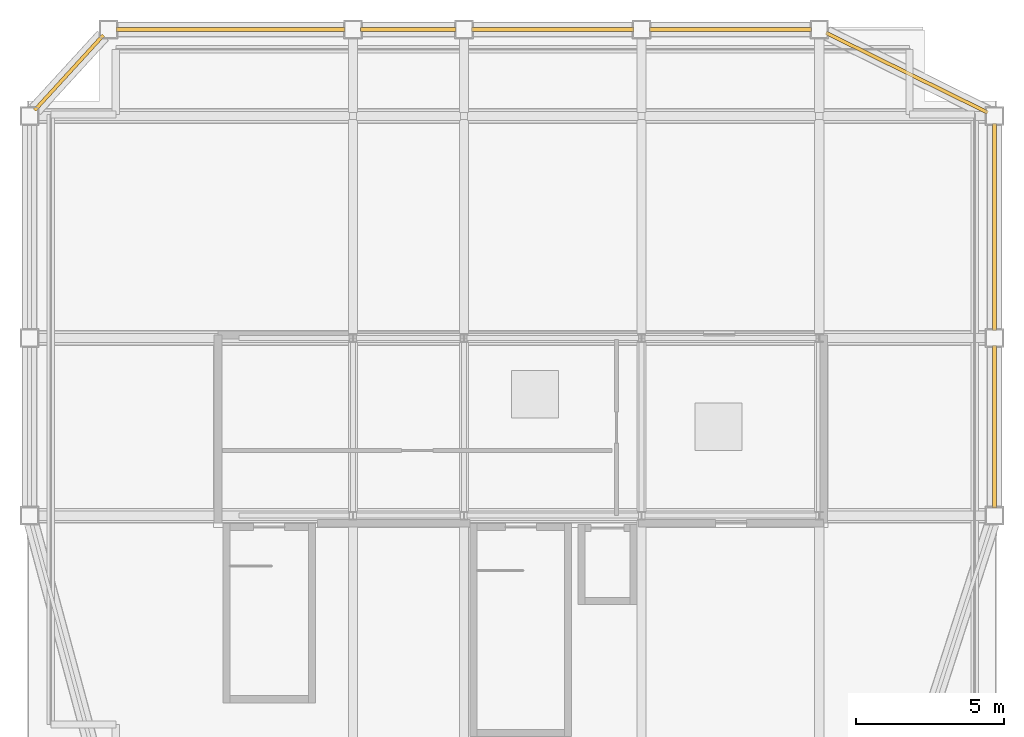
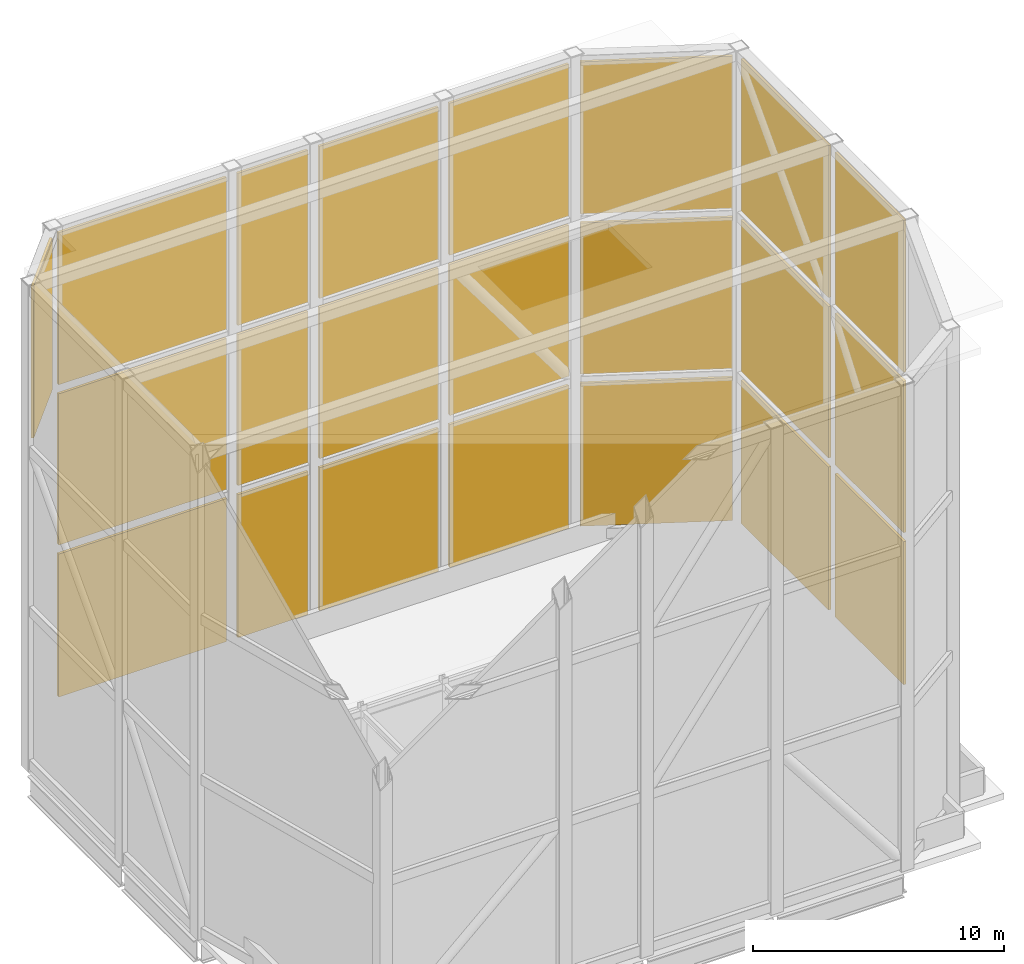
# One storey, part 6 of 6: 22 shading devices.
"""IFC4 building model written with IfcOpenShell, lengths in metres."""

import ifcopenshell
import ifcopenshell.guid

model = None  # the IFC model being written
_history = None  # IfcOwnerHistory: only IFC2X3 demands one
_inside = {}  # id of a spatial element -> (the spatial element, [elements in it])
_under = {}  # id of a project, library or spatial element -> (it, [spatial elements below it])
_declared = {}  # id of a project -> (the project, [libraries it declares])
_typed = {}  # id of a type object -> (the type object, [elements of that type])
_made_of = {}  # id of a material, layer set ... -> (it, [elements and type objects made of it])


def new_model(schema):
    """Start an empty IFC model of exactly this schema.

    Asked for "IFC4X3", IfcOpenShell would pick the latest addendum, in which some entities
    have other attributes; the version numbers below select the first issue.
    IFC2X3 requires an IfcOwnerHistory on every rooted entity: one is made here for all.
    """
    global model, _history
    if schema == "IFC4X3":
        model = ifcopenshell.file(schema_version=(4, 3, 0, 0))
    else:
        model = ifcopenshell.file(schema=schema)
    _inside.clear()
    _under.clear()
    _declared.clear()
    _typed.clear()
    _made_of.clear()
    _history = None
    if model.schema == "IFC2X3":
        org = make("IfcOrganization", Name="unknown")
        user = make(
            "IfcPersonAndOrganization",
            ThePerson=make("IfcPerson", FamilyName="unknown"),
            TheOrganization=org,
        )
        app = make(
            "IfcApplication",
            ApplicationDeveloper=org,
            Version="unknown",
            ApplicationFullName="unknown",
            ApplicationIdentifier="unknown",
        )
        _history = make(
            "IfcOwnerHistory",
            OwningUser=user,
            OwningApplication=app,
            ChangeAction="ADDED",
            CreationDate=0,
        )
    return model


def make(cls, **values):
    """One entity of the class cls with the attributes given. An attribute that is None is left unset."""
    return model.create_entity(
        cls, **{name: value for name, value in values.items() if value is not None}
    )


def rooted(cls, **values):
    """An entity with a GlobalId (a new one), such as an element, a storey or a relation."""
    return make(cls, GlobalId=ifcopenshell.guid.new(), OwnerHistory=_history, **values)


def si_unit(unit_type, name, prefix=None):
    """IfcSIUnit, for example si_unit("LENGTHUNIT", "METRE", prefix="MILLI")."""
    return make("IfcSIUnit", UnitType=unit_type, Prefix=prefix, Name=name)


def assignment(units):
    """IfcUnitAssignment: the units of a project."""
    return None if units is None else make("IfcUnitAssignment", Units=units)


def point(xyz):
    """IfcCartesianPoint."""
    return None if xyz is None else make("IfcCartesianPoint", Coordinates=xyz)


def direction(xyz):
    """IfcDirection."""
    return None if xyz is None else make("IfcDirection", DirectionRatios=xyz)


def frame(location, z_axis=None, x_axis=None):
    """IfcAxis2Placement3D, a coordinate frame: its origin and axes. An axis left out is left unset."""
    return make(
        "IfcAxis2Placement3D",
        Location=point(location),
        Axis=direction(z_axis),
        RefDirection=direction(x_axis),
    )


def frame_2d(location, x_axis=None):
    """IfcAxis2Placement2D, a coordinate frame in the plane: its origin and x axis."""
    return make(
        "IfcAxis2Placement2D", Location=point(location), RefDirection=direction(x_axis)
    )


def origin():
    """The frame at (0, 0, 0) with its axes left unset."""
    return frame((0.0, 0.0, 0.0))


def origin_2d():
    """The frame at (0, 0) in the plane with its x axis left unset."""
    return frame_2d((0.0, 0.0))


def place(relative_to, where):
    """IfcLocalPlacement: puts the frame where relative to a parent placement (None: the world)."""
    return make(
        "IfcLocalPlacement", PlacementRelTo=relative_to, RelativePlacement=where
    )


def context(
    kind, dimensions, precision=None, world=None, true_north=None, identifier=None
):
    """IfcGeometricRepresentationContext, for example the 3D "Model" context."""
    return make(
        "IfcGeometricRepresentationContext",
        ContextIdentifier=identifier,
        ContextType=kind,
        CoordinateSpaceDimension=dimensions,
        Precision=precision,
        WorldCoordinateSystem=world,
        TrueNorth=true_north,
    )


def subcontext(parent, identifier, kind, view, scale=None):
    """IfcGeometricRepresentationSubContext, for example "Body" below "Model"."""
    return make(
        "IfcGeometricRepresentationSubContext",
        ContextIdentifier=identifier,
        ContextType=kind,
        ParentContext=parent,
        TargetScale=scale,
        TargetView=view,
    )


def project(units=None, contexts=None):
    """IfcProject with its units and contexts."""
    return rooted(
        "IfcProject",
        Name="project",
        RepresentationContexts=contexts,
        UnitsInContext=assignment(units),
    )


def spatial(cls, under=None, at=None, **own):
    """A site, building, storey or space (cls), placed at a placement, below another one or the project."""
    s = rooted(cls, ObjectPlacement=at, **own)
    if under is not None:
        _under.setdefault(under.id(), (under, []))[1].append(s)
    return s


def profile(cls, at=None, kind="AREA", **sizes):
    """A parametric profile (cls). Its sizes go by their IFC names, for example OverallWidth=200.0."""
    return make(cls, ProfileType=kind, Position=at, **sizes)


def rectangle(**sizes):
    """IfcRectangleProfileDef."""
    return profile("IfcRectangleProfileDef", **sizes)


def extrude(swept, where, along, depth):
    """IfcExtrudedAreaSolid: the profile swept, set in the frame where, extruded along a direction by depth."""
    return make(
        "IfcExtrudedAreaSolid",
        SweptArea=swept,
        Position=where,
        ExtrudedDirection=direction(along),
        Depth=depth,
    )


def shape(context_of_items, identifier, shape_type, items):
    """IfcShapeRepresentation: the items that make up one representation, for example the "Body"."""
    return make(
        "IfcShapeRepresentation",
        ContextOfItems=context_of_items,
        RepresentationIdentifier=identifier,
        RepresentationType=shape_type,
        Items=items,
    )


def material(Name=None, Category=None):
    """IfcMaterial."""
    return make("IfcMaterial", Name=Name, Category=Category)


def layer(
    of_material, thickness, ventilated=None, Name=None, Category=None, Priority=None
):
    """IfcMaterialLayer: one layer of a wall or slab, of a material (None: an air gap)."""
    return make(
        "IfcMaterialLayer",
        Material=of_material,
        LayerThickness=thickness,
        IsVentilated=ventilated,
        Name=Name,
        Category=Category,
        Priority=Priority,
    )


def layer_set(layers, Name=None):
    """IfcMaterialLayerSet."""
    return make("IfcMaterialLayerSet", MaterialLayers=layers, LayerSetName=Name)


def made_of(thing, what):
    """Note that an element or type object is made of a material, layer set ...; save() writes the relation."""
    if what is not None:
        _made_of.setdefault(what.id(), (what, []))[1].append(thing)
    return thing


def type_object(cls, material=None, **own):
    """A type object (cls), such as IfcWallType, which elements share."""
    return made_of(rooted(cls, **own), material)


def element(
    cls,
    number,
    at=None,
    inside=None,
    cuts=None,
    type_object=None,
    material=None,
    context=None,
    identifier="Body",
    shape_type=None,
    held_by="IfcProductDefinitionShape",
    body=None,
    shapes=None,
    **own,
):
    """One element of the class cls, such as IfcWall. Its Tag is "e" and its number.

    at: its placement. inside: the storey or other place that contains it. cuts: it is an
    opening in that element (IfcRelVoidsElement). A single representation is given by context,
    identifier, shape_type and body (its items); several are given by shapes. held_by: the class
    of the entity that holds the representations. save() writes the other relations.
    """
    e = rooted(cls, Tag="e%d" % number, ObjectPlacement=at, **own)
    if body is not None:
        shapes = [shape(context, identifier, shape_type, body)]
    if shapes is not None:
        e.Representation = make(held_by, Representations=shapes)
    if inside is not None:
        _inside.setdefault(inside.id(), (inside, []))[1].append(e)
    if cuts is not None:
        rooted(
            "IfcRelVoidsElement", RelatingBuildingElement=cuts, RelatedOpeningElement=e
        )
    if type_object is not None:
        _typed.setdefault(type_object.id(), (type_object, []))[1].append(e)
    return made_of(e, material)


def aggregate(whole, parts):
    """IfcRelAggregates: a whole, such as a stair, and the parts it consists of."""
    return rooted("IfcRelAggregates", RelatingObject=whole, RelatedObjects=parts)


def save(model, path):
    """Write the relations noted so far, then the file.

    IfcRelAggregates (storeys below a building ...), IfcRelContainedInSpatialStructure (elements
    in a storey), IfcRelDefinesByType, IfcRelAssociatesMaterial and IfcRelDeclares: one each for
    every whole, place, type object, material and project.
    """
    for whole, parts in _under.values():
        aggregate(whole, parts)
    for where, things in _inside.values():
        rooted(
            "IfcRelContainedInSpatialStructure",
            RelatedElements=things,
            RelatingStructure=where,
        )
    for kind, things in _typed.values():
        rooted("IfcRelDefinesByType", RelatedObjects=things, RelatingType=kind)
    for what, things in _made_of.values():
        rooted("IfcRelAssociatesMaterial", RelatedObjects=things, RelatingMaterial=what)
    for by, libraries in _declared.values():
        rooted("IfcRelDeclares", RelatingContext=by, RelatedDefinitions=libraries)
    model.write(path)


model = new_model("IFC4")

# Units and contexts
model_context = context("Model", 3, precision=1e-05, world=origin(), true_north=direction((0.0, 1.0)))
body_context = subcontext(model_context, "Body", "Model", "MODEL_VIEW")
ifc_project = project(units=[si_unit("LENGTHUNIT", "METRE"), si_unit("AREAUNIT", "SQUARE_METRE"), si_unit("VOLUMEUNIT", "CUBIC_METRE"), si_unit("PLANEANGLEUNIT", "RADIAN"), si_unit("MASSUNIT", "GRAM", prefix="KILO")], contexts=[model_context])

# Site, building, storey
site_placement = place(None, origin())
site = spatial("IfcSite", under=ifc_project, at=site_placement, CompositionType="ELEMENT")
building_placement = place(site_placement, origin())
building = spatial("IfcBuilding", under=site, at=building_placement, Name="Brevholm Reach", CompositionType="ELEMENT")
storey_placement = place(building_placement, frame((0.0, 0.0, 251.449951171875)))
storey = spatial("IfcBuildingStorey", under=building, at=storey_placement, Name="RF", CompositionType="ELEMENT", Elevation=251.449951171875)

# Shading devices
ifc_material = material(Name="Perforated Champagne-Bronze Anodised Aluminium", Category="aluminium")
ifc_layer = layer(ifc_material, 0.1201171875)
ifc_layer_set = layer_set([ifc_layer], Name="Perforated Champagne-Bronze Anodised Aluminium")
shading_device_type = type_object("IfcShadingDeviceType", Name="SHD-CRN-120", PredefinedType="USERDEFINED", material=ifc_layer_set)
shading_device_1_placement = place(storey_placement, frame((59.919921875, 13.0, 0.6201171875), z_axis=(0.0, 0.0, 1.0), x_axis=(0.0, 1.0, 0.0)))
element("IfcShadingDevice", 1, at=shading_device_1_placement, inside=storey, type_object=shading_device_type, Name="Crown Perforated Solar Screen Panel 7.1", ObjectType="SCREEN", PredefinedType="USERDEFINED", context=body_context, shape_type="SweptSolid", body=[
    extrude(rectangle(XDim=5.47998046875, YDim=0.1201171875, at=origin_2d()), origin(), (0.0, 0.0, 1.0), 6.9599609375),
])
shading_device_2_placement = place(storey_placement, frame((59.919921875, 13.0, 8.02001953125), z_axis=(0.0, 0.0, 1.0), x_axis=(0.0, 1.0, 0.0)))
element("IfcShadingDevice", 2, at=shading_device_2_placement, inside=storey, type_object=shading_device_type, Name="Crown Perforated Solar Screen Panel 7.2", ObjectType="SCREEN", PredefinedType="USERDEFINED", context=body_context, shape_type="SweptSolid", body=[
    extrude(rectangle(XDim=5.47998046875, YDim=0.1201171875, at=origin_2d()), origin(), (0.0, 0.0, 1.0), 7.360107421875),
])
shading_device_3_placement = place(storey_placement, frame((59.919921875, 13.0, 15.820068359375), z_axis=(0.0, 0.0, 1.0), x_axis=(0.0, 1.0, 0.0)))
element("IfcShadingDevice", 3, at=shading_device_3_placement, inside=storey, type_object=shading_device_type, Name="Crown Perforated Solar Screen Panel 7.3", ObjectType="SCREEN", PredefinedType="USERDEFINED", context=body_context, shape_type="SweptSolid", body=[
    extrude(rectangle(XDim=5.47998046875, YDim=0.1201171875, at=origin_2d()), origin(), (0.0, 0.0, 1.0), 7.39990234375),
])
shading_device_4_placement = place(storey_placement, frame((59.919921875, 19.75, 0.6201171875), z_axis=(0.0, 0.0, 1.0), x_axis=(0.0, 1.0, 0.0)))
element("IfcShadingDevice", 4, at=shading_device_4_placement, inside=storey, type_object=shading_device_type, Name="Crown Perforated Solar Screen Panel 8.1", ObjectType="SCREEN", PredefinedType="USERDEFINED", context=body_context, shape_type="SweptSolid", body=[
    extrude(rectangle(XDim=6.97998046875, YDim=0.1201171875, at=origin_2d()), origin(), (0.0, 0.0, 1.0), 6.9599609375),
])
shading_device_5_placement = place(storey_placement, frame((59.919921875, 19.75, 8.02001953125), z_axis=(0.0, 0.0, 1.0), x_axis=(0.0, 1.0, 0.0)))
element("IfcShadingDevice", 5, at=shading_device_5_placement, inside=storey, type_object=shading_device_type, Name="Crown Perforated Solar Screen Panel 8.2", ObjectType="SCREEN", PredefinedType="USERDEFINED", context=body_context, shape_type="SweptSolid", body=[
    extrude(rectangle(XDim=6.97998046875, YDim=0.1201171875, at=origin_2d()), origin(), (0.0, 0.0, 1.0), 7.360107421875),
])
shading_device_6_placement = place(storey_placement, frame((59.919921875, 19.75, 15.820068359375), z_axis=(0.0, 0.0, 1.0), x_axis=(0.0, 1.0, 0.0)))
element("IfcShadingDevice", 6, at=shading_device_6_placement, inside=storey, type_object=shading_device_type, Name="Crown Perforated Solar Screen Panel 8.3", ObjectType="SCREEN", PredefinedType="USERDEFINED", context=body_context, shape_type="SweptSolid", body=[
    extrude(rectangle(XDim=6.97998046875, YDim=0.1201171875, at=origin_2d()), origin(), (0.0, 0.0, 1.0), 7.39990234375),
])
shading_device_7_placement = place(storey_placement, frame((56.9599609375, 24.9599609375, 0.6201171875), z_axis=(0.0, 0.0, 1.0), x_axis=(-0.896838001494, 0.442359129075, 0.0)))
element("IfcShadingDevice", 7, at=shading_device_7_placement, inside=storey, type_object=shading_device_type, Name="Crown Perforated Solar Screen Panel 9.1", ObjectType="SCREEN", PredefinedType="USERDEFINED", context=body_context, shape_type="SweptSolid", body=[
    extrude(rectangle(XDim=6.0810546875, YDim=0.1201171875, at=origin_2d()), origin(), (0.0, 0.0, 1.0), 6.9599609375),
])
shading_device_8_placement = place(storey_placement, frame((56.9599609375, 24.9599609375, 8.02001953125), z_axis=(0.0, 0.0, 1.0), x_axis=(-0.896838001494, 0.442359129075, 0.0)))
element("IfcShadingDevice", 8, at=shading_device_8_placement, inside=storey, type_object=shading_device_type, Name="Crown Perforated Solar Screen Panel 9.2", ObjectType="SCREEN", PredefinedType="USERDEFINED", context=body_context, shape_type="SweptSolid", body=[
    extrude(rectangle(XDim=6.0810546875, YDim=0.1201171875, at=origin_2d()), origin(), (0.0, 0.0, 1.0), 7.360107421875),
])
shading_device_9_placement = place(storey_placement, frame((56.9599609375, 24.9599609375, 15.820068359375), z_axis=(0.0, 0.0, 1.0), x_axis=(-0.896838001494, 0.442359129075, 0.0)))
element("IfcShadingDevice", 9, at=shading_device_9_placement, inside=storey, type_object=shading_device_type, Name="Crown Perforated Solar Screen Panel 9.3", ObjectType="SCREEN", PredefinedType="USERDEFINED", context=body_context, shape_type="SweptSolid", body=[
    extrude(rectangle(XDim=6.0810546875, YDim=0.1201171875, at=origin_2d()), origin(), (0.0, 0.0, 1.0), 7.39990234375),
])
shading_device_10_placement = place(storey_placement, frame((51.0, 26.419921875, 0.6201171875), z_axis=(0.0, 0.0, 1.0), x_axis=(-1.0, 0.0, 0.0)))
element("IfcShadingDevice", 10, at=shading_device_10_placement, inside=storey, type_object=shading_device_type, Name="Crown Perforated Solar Screen Panel 10.1", ObjectType="SCREEN", PredefinedType="USERDEFINED", context=body_context, shape_type="SweptSolid", body=[
    extrude(rectangle(XDim=5.47998046875, YDim=0.1201171875, at=origin_2d()), origin(), (0.0, 0.0, 1.0), 6.9599609375),
])
shading_device_11_placement = place(storey_placement, frame((51.0, 26.419921875, 8.02001953125), z_axis=(0.0, 0.0, 1.0), x_axis=(-1.0, 0.0, 0.0)))
element("IfcShadingDevice", 11, at=shading_device_11_placement, inside=storey, type_object=shading_device_type, Name="Crown Perforated Solar Screen Panel 10.2", ObjectType="SCREEN", PredefinedType="USERDEFINED", context=body_context, shape_type="SweptSolid", body=[
    extrude(rectangle(XDim=5.47998046875, YDim=0.1201171875, at=origin_2d()), origin(), (0.0, 0.0, 1.0), 7.360107421875),
])
shading_device_12_placement = place(storey_placement, frame((51.0, 26.419921875, 15.820068359375), z_axis=(0.0, 0.0, 1.0), x_axis=(-1.0, 0.0, 0.0)))
element("IfcShadingDevice", 12, at=shading_device_12_placement, inside=storey, type_object=shading_device_type, Name="Crown Perforated Solar Screen Panel 10.3", ObjectType="SCREEN", PredefinedType="USERDEFINED", context=body_context, shape_type="SweptSolid", body=[
    extrude(rectangle(XDim=5.47998046875, YDim=0.1201171875, at=origin_2d()), origin(), (0.0, 0.0, 1.0), 7.39990234375),
])
shading_device_13_placement = place(storey_placement, frame((45.0, 26.419921875, 0.6201171875), z_axis=(0.0, 0.0, 1.0), x_axis=(-1.0, 0.0, 0.0)))
element("IfcShadingDevice", 13, at=shading_device_13_placement, inside=storey, type_object=shading_device_type, Name="Crown Perforated Solar Screen Panel 11.1", ObjectType="SCREEN", PredefinedType="USERDEFINED", context=body_context, shape_type="SweptSolid", body=[
    extrude(rectangle(XDim=5.47998046875, YDim=0.1201171875, at=origin_2d()), origin(), (0.0, 0.0, 1.0), 6.9599609375),
])
shading_device_14_placement = place(storey_placement, frame((45.0, 26.419921875, 8.02001953125), z_axis=(0.0, 0.0, 1.0), x_axis=(-1.0, 0.0, 0.0)))
element("IfcShadingDevice", 14, at=shading_device_14_placement, inside=storey, type_object=shading_device_type, Name="Crown Perforated Solar Screen Panel 11.2", ObjectType="SCREEN", PredefinedType="USERDEFINED", context=body_context, shape_type="SweptSolid", body=[
    extrude(rectangle(XDim=5.47998046875, YDim=0.1201171875, at=origin_2d()), origin(), (0.0, 0.0, 1.0), 7.360107421875),
])
shading_device_15_placement = place(storey_placement, frame((45.0, 26.419921875, 15.820068359375), z_axis=(0.0, 0.0, 1.0), x_axis=(-1.0, 0.0, 0.0)))
element("IfcShadingDevice", 15, at=shading_device_15_placement, inside=storey, type_object=shading_device_type, Name="Crown Perforated Solar Screen Panel 11.3", ObjectType="SCREEN", PredefinedType="USERDEFINED", context=body_context, shape_type="SweptSolid", body=[
    extrude(rectangle(XDim=5.47998046875, YDim=0.1201171875, at=origin_2d()), origin(), (0.0, 0.0, 1.0), 7.39990234375),
])
shading_device_16_placement = place(storey_placement, frame((40.125, 26.419921875, 0.6201171875), z_axis=(0.0, 0.0, 1.0), x_axis=(-1.0, 0.0, 0.0)))
element("IfcShadingDevice", 16, at=shading_device_16_placement, inside=storey, type_object=shading_device_type, Name="Crown Perforated Solar Screen Panel 12.1", ObjectType="SCREEN", PredefinedType="USERDEFINED", context=body_context, shape_type="SweptSolid", body=[
    extrude(rectangle(XDim=3.22998046875, YDim=0.1201171875, at=origin_2d()), origin(), (0.0, 0.0, 1.0), 6.9599609375),
])
shading_device_17_placement = place(storey_placement, frame((40.125, 26.419921875, 8.02001953125), z_axis=(0.0, 0.0, 1.0), x_axis=(-1.0, 0.0, 0.0)))
element("IfcShadingDevice", 17, at=shading_device_17_placement, inside=storey, type_object=shading_device_type, Name="Crown Perforated Solar Screen Panel 12.2", ObjectType="SCREEN", PredefinedType="USERDEFINED", context=body_context, shape_type="SweptSolid", body=[
    extrude(rectangle(XDim=3.22998046875, YDim=0.1201171875, at=origin_2d()), origin(), (0.0, 0.0, 1.0), 7.360107421875),
])
shading_device_18_placement = place(storey_placement, frame((40.125, 26.419921875, 15.820068359375), z_axis=(0.0, 0.0, 1.0), x_axis=(-1.0, 0.0, 0.0)))
element("IfcShadingDevice", 18, at=shading_device_18_placement, inside=storey, type_object=shading_device_type, Name="Crown Perforated Solar Screen Panel 12.3", ObjectType="SCREEN", PredefinedType="USERDEFINED", context=body_context, shape_type="SweptSolid", body=[
    extrude(rectangle(XDim=3.22998046875, YDim=0.1201171875, at=origin_2d()), origin(), (0.0, 0.0, 1.0), 7.39990234375),
])
shading_device_19_placement = place(storey_placement, frame((34.125, 26.419921875, 0.6201171875), z_axis=(0.0, 0.0, 1.0), x_axis=(-1.0, 0.0, 0.0)))
element("IfcShadingDevice", 19, at=shading_device_19_placement, inside=storey, type_object=shading_device_type, Name="Crown Perforated Solar Screen Panel 13.1", ObjectType="SCREEN", PredefinedType="USERDEFINED", context=body_context, shape_type="SweptSolid", body=[
    extrude(rectangle(XDim=7.72998046875, YDim=0.1201171875, at=origin_2d()), origin(), (0.0, 0.0, 1.0), 6.9599609375),
])
shading_device_20_placement = place(storey_placement, frame((34.125, 26.419921875, 8.02001953125), z_axis=(0.0, 0.0, 1.0), x_axis=(-1.0, 0.0, 0.0)))
element("IfcShadingDevice", 20, at=shading_device_20_placement, inside=storey, type_object=shading_device_type, Name="Crown Perforated Solar Screen Panel 13.2", ObjectType="SCREEN", PredefinedType="USERDEFINED", context=body_context, shape_type="SweptSolid", body=[
    extrude(rectangle(XDim=7.72998046875, YDim=0.1201171875, at=origin_2d()), origin(), (0.0, 0.0, 1.0), 7.360107421875),
])
shading_device_21_placement = place(storey_placement, frame((34.125, 26.419921875, 15.820068359375), z_axis=(0.0, 0.0, 1.0), x_axis=(-1.0, 0.0, 0.0)))
element("IfcShadingDevice", 21, at=shading_device_21_placement, inside=storey, type_object=shading_device_type, Name="Crown Perforated Solar Screen Panel 13.3", ObjectType="SCREEN", PredefinedType="USERDEFINED", context=body_context, shape_type="SweptSolid", body=[
    extrude(rectangle(XDim=7.72998046875, YDim=0.1201171875, at=origin_2d()), origin(), (0.0, 0.0, 1.0), 7.39990234375),
])
shading_device_22_placement = place(storey_placement, frame((28.6650390625, 24.9599609375, 15.820068359375), z_axis=(0.0, 0.0, 1.0), x_axis=(-0.674808746071, -0.737992653234, 0.0)))
element("IfcShadingDevice", 22, at=shading_device_22_placement, inside=storey, type_object=shading_device_type, Name="Crown Perforated Solar Screen Panel 14.3", ObjectType="SCREEN", PredefinedType="USERDEFINED", context=body_context, shape_type="SweptSolid", body=[
    extrude(rectangle(XDim=3.436767578125, YDim=0.1201171875, at=origin_2d()), origin(), (0.0, 0.0, 1.0), 7.39990234375),
])

save(model, "model.ifc")
